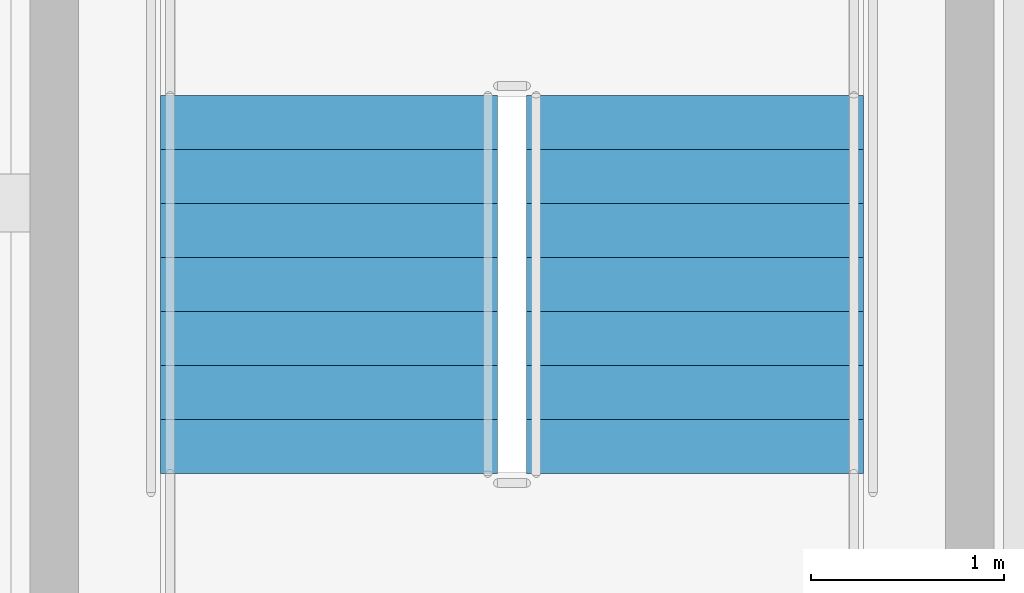
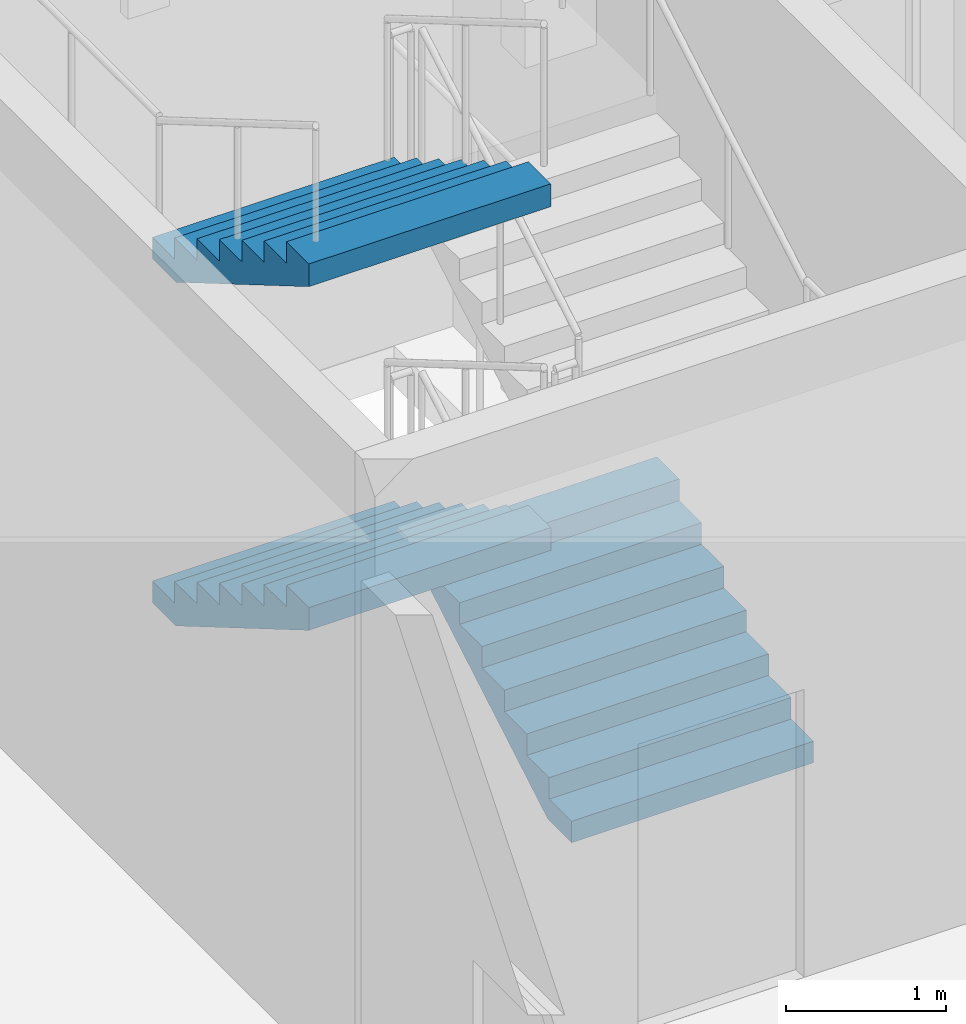
# One storey, part 81 of 125: 3 stair flights, 1 element without a shape of its own.
"""IFC4 building model written with IfcOpenShell, lengths in metres."""

from ifc_helpers import new_model, si_unit, direction, frame, origin, place, context, subcontext, project, spatial, polyline, outline, extrude, material, type_object, element, aggregate, save


model = new_model("IFC4")

# Units and contexts
model_context = context("Model", 3, precision=1e-05, world=origin(), true_north=direction((0.0, 1.0)))
body_context = subcontext(model_context, "Body", "Model", "MODEL_VIEW")
ifc_project = project(units=[si_unit("LENGTHUNIT", "METRE"), si_unit("AREAUNIT", "SQUARE_METRE"), si_unit("VOLUMEUNIT", "CUBIC_METRE"), si_unit("PLANEANGLEUNIT", "RADIAN"), si_unit("MASSUNIT", "GRAM", prefix="KILO")], contexts=[model_context])

# Site, building, storey
site_placement = place(None, origin())
site = spatial("IfcSite", under=ifc_project, at=site_placement, CompositionType="ELEMENT")
building_placement = place(site_placement, origin())
building = spatial("IfcBuilding", under=site, at=building_placement, Name="Sun Court Science Centre", CompositionType="ELEMENT")
storey_placement = place(building_placement, frame((0.0, 0.0, 6.0)))
storey = spatial("IfcBuildingStorey", under=building, at=storey_placement, Name="L01", CompositionType="ELEMENT", Elevation=6.0)

# Stair, stair flights
ifc_material_1 = material(Name="Concrete C25/30", Category="concrete")
stair_type = type_object("IfcStairType", Name="Stair 1500 enclosed half-turn", PredefinedType="HALF_TURN_STAIR", material=ifc_material_1)
stair_placement = place(storey_placement, origin())
stair = element("IfcStair", 1, at=stair_placement, inside=storey, type_object=stair_type, Name="L01 Stair SL4", PredefinedType="HALF_TURN_STAIR")
ifc_material_2 = material(Name="Concrete C25/30", Category="concrete")
stair_flight_type = type_object("IfcStairFlightType", Name="Stair flight 1500 with waist", PredefinedType="STRAIGHT", material=ifc_material_2)
stair_flight_1_placement = place(storey_placement, frame((85.448974609375, 75.498046875, 0.0), z_axis=(0.0, 0.0, 1.0), x_axis=(0.0, 1.0, 0.0)))
stair_flight_1 = element("IfcStairFlight", 2, at=stair_flight_1_placement, type_object=stair_flight_type, Name="SL4 flight 1", NumberOfRisers=8, NumberOfTreads=7, PredefinedType="STRAIGHT", RiserHeight=0.1640625, TreadLength=0.28, context=body_context, shape_type="SweptSolid", body=[
    extrude(outline(polyline([(0.0, 0.0), (0.0, 0.00244140625), (0.0, 0.0048828125), (0.0, 0.00732421875), (0.0, 0.009765625), (0.0, 0.01220703125), (0.0, 0.0146484375), (0.0, 0.01708984375), (0.0, 0.01953125), (0.0, 0.02197265625), (0.0, 0.0244140625), (0.0, 0.02685546875), (0.0, 0.029296875), (0.0, 0.03173828125), (0.0, 0.0341796875), (0.0, 0.03662109375), (0.0, 0.0390625), (0.0, 0.04150390625), (0.0, 0.0439453125), (0.0, 0.04638671875), (0.0, 0.048828125), (0.0, 0.05126953125), (0.0, 0.0537109375), (0.0, 0.05615234375), (0.0, 0.05859375), (0.0, 0.06103515625), (0.0, 0.0634765625), (0.0, 0.06591796875), (0.0, 0.068359375), (0.0, 0.07080078125), (0.0, 0.0732421875), (0.0, 0.07568359375), (0.0, 0.078125), (0.0, 0.08056640625), (0.0, 0.0830078125), (0.0, 0.08544921875), (0.0, 0.087890625), (0.0, 0.09033203125), (0.0, 0.0927734375), (0.0, 0.09521484375), (0.0, 0.09765625), (0.0, 0.10009765625), (0.0, 0.1025390625), (0.0, 0.10498046875), (0.0, 0.107421875), (0.0, 0.10986328125), (0.0, 0.1123046875), (0.0, 0.11474609375), (0.0, 0.1171875), (0.0, 0.11962890625), (0.0, 0.1220703125), (0.0, 0.12451171875), (0.0, 0.126953125), (0.0, 0.12939453125), (0.0, 0.1318359375), (0.0, 0.13427734375), (0.0, 0.13671875), (0.0, 0.13916015625), (0.0, 0.1416015625), (0.0, 0.14404296875), (0.0, 0.146484375), (0.0, 0.14892578125), (0.0, 0.1513671875), (0.0, 0.15380859375), (0.0, 0.15625), (0.0, 0.15869140625), (0.0, 0.1611328125), (0.0, 0.1640625), (0.280029296875, 0.1640625), (0.280029296875, 0.328125), (0.56005859375, 0.328125), (0.56005859375, 0.4921875), (0.840087890625, 0.4921875), (0.840087890625, 0.65625), (1.1201171875, 0.65625), (1.1201171875, 0.8203125), (1.39990234375, 0.8203125), (1.39990234375, 0.984375), (1.679931640625, 0.984375), (1.679931640625, 1.1484375), (1.9599609375, 1.1484375), (1.9599609375, 1.15087890625), (1.9599609375, 1.1533203125), (1.9599609375, 1.15576171875), (1.9599609375, 1.158203125), (1.9599609375, 1.16064453125), (1.9599609375, 1.1630859375), (1.9599609375, 1.16552734375), (1.9599609375, 1.16796875), (1.9599609375, 1.17041015625), (1.9599609375, 1.1728515625), (1.9599609375, 1.17529296875), (1.9599609375, 1.177734375), (1.9599609375, 1.18017578125), (1.9599609375, 1.1826171875), (1.9599609375, 1.18505859375), (1.9599609375, 1.1875), (1.9599609375, 1.18994140625), (1.9599609375, 1.1923828125), (1.9599609375, 1.19482421875), (1.9599609375, 1.197265625), (1.9599609375, 1.19970703125), (1.9599609375, 1.2021484375), (1.9599609375, 1.20458984375), (1.9599609375, 1.20703125), (1.9599609375, 1.20947265625), (1.9599609375, 1.2119140625), (1.9599609375, 1.21435546875), (1.9599609375, 1.216796875), (1.9599609375, 1.21923828125), (1.9599609375, 1.2216796875), (1.9599609375, 1.22412109375), (1.9599609375, 1.2265625), (1.9599609375, 1.22900390625), (1.9599609375, 1.2314453125), (1.9599609375, 1.23388671875), (1.9599609375, 1.236328125), (1.9599609375, 1.23876953125), (1.9599609375, 1.2412109375), (1.9599609375, 1.24365234375), (1.9599609375, 1.24609375), (1.9599609375, 1.24853515625), (1.9599609375, 1.2509765625), (1.9599609375, 1.25341796875), (1.9599609375, 1.255859375), (1.9599609375, 1.25830078125), (1.9599609375, 1.2607421875), (1.9599609375, 1.26318359375), (1.9599609375, 1.265625), (1.9599609375, 1.26806640625), (1.9599609375, 1.2705078125), (1.9599609375, 1.27294921875), (1.9599609375, 1.275390625), (1.9599609375, 1.27783203125), (1.9599609375, 1.2802734375), (1.9599609375, 1.28271484375), (1.9599609375, 1.28515625), (1.9599609375, 1.28759765625), (1.9599609375, 1.2900390625), (1.9599609375, 1.29248046875), (1.9599609375, 1.294921875), (1.9599609375, 1.29736328125), (1.9599609375, 1.2998046875), (1.9599609375, 1.30224609375), (1.9599609375, 1.3046875), (1.9599609375, 1.30712890625), (1.9599609375, 1.3095703125), (1.9599609375, 1.3125), (1.9599609375, 1.31005859375), (1.9599609375, 1.3076171875), (1.9599609375, 1.30517578125), (1.9599609375, 1.302734375), (1.9599609375, 1.30029296875), (1.9599609375, 1.2978515625), (1.9599609375, 1.29541015625), (1.9599609375, 1.29296875), (1.9599609375, 1.29052734375), (1.9599609375, 1.2880859375), (1.9599609375, 1.28564453125), (1.9599609375, 1.283203125), (1.9599609375, 1.28076171875), (1.9599609375, 1.2783203125), (1.9599609375, 1.27587890625), (1.9599609375, 1.2734375), (1.9599609375, 1.27099609375), (1.9599609375, 1.2685546875), (1.9599609375, 1.26611328125), (1.9599609375, 1.263671875), (1.9599609375, 1.26123046875), (1.9599609375, 1.2587890625), (1.9599609375, 1.25634765625), (1.9599609375, 1.25390625), (1.9599609375, 1.25146484375), (1.9599609375, 1.2490234375), (1.9599609375, 1.24658203125), (1.9599609375, 1.244140625), (1.9599609375, 1.24169921875), (1.9599609375, 1.2392578125), (1.9599609375, 1.23681640625), (1.9599609375, 1.234375), (1.9599609375, 1.23193359375), (1.9599609375, 1.2294921875), (1.9599609375, 1.22705078125), (1.9599609375, 1.224609375), (1.9599609375, 1.22216796875), (1.9599609375, 1.2197265625), (1.9599609375, 1.21728515625), (1.9599609375, 1.21484375), (1.9599609375, 1.21240234375), (1.9599609375, 1.2099609375), (1.9599609375, 1.20751953125), (1.9599609375, 1.205078125), (1.9599609375, 1.20263671875), (1.9599609375, 1.2001953125), (1.9599609375, 1.19775390625), (1.9599609375, 1.1953125), (1.9599609375, 1.19287109375), (1.9599609375, 1.1904296875), (1.9599609375, 1.18798828125), (1.9599609375, 1.185546875), (1.9599609375, 1.18310546875), (1.9599609375, 1.1806640625), (1.9599609375, 1.17822265625), (1.9599609375, 1.17578125), (1.9599609375, 1.17333984375), (1.9599609375, 1.1708984375), (1.9599609375, 1.16845703125), (1.9599609375, 1.166015625), (1.9599609375, 1.16357421875), (1.9599609375, 1.1611328125), (1.9599609375, 1.15869140625), (1.9599609375, 1.15625), (1.9599609375, 1.15380859375), (1.9599609375, 1.1513671875), (1.9599609375, 1.14892578125), (1.9599609375, 1.146484375), (1.9599609375, 1.14404296875), (1.9599609375, 1.1416015625), (1.9599609375, 1.13916015625), (1.9599609375, 1.13671875), (1.9599609375, 1.13427734375), (1.9599609375, 1.1318359375), (1.9599609375, 1.12939453125), (1.9599609375, 1.126953125), (1.9599609375, 1.12451171875), (1.9599609375, 1.1220703125), (1.9599609375, 1.11962890625), (1.9599609375, 1.1171875), (1.9599609375, 1.11474609375), (1.9599609375, 1.1123046875), (1.9599609375, 1.10986328125), (1.9599609375, 1.107421875), (1.9599609375, 1.10498046875), (1.9599609375, 1.1025390625), (1.9599609375, 1.10009765625), (1.9599609375, 1.09765625), (1.9599609375, 1.09521484375), (1.9599609375, 1.0927734375), (1.9599609375, 1.09033203125), (1.9599609375, 1.087890625), (1.9599609375, 1.08544921875), (1.9599609375, 1.0830078125), (1.9599609375, 1.08056640625), (1.9599609375, 1.078125), (1.9599609375, 1.07568359375), (1.9599609375, 1.0732421875), (1.9599609375, 1.07080078125), (1.9599609375, 1.068359375), (1.9599609375, 1.06591796875), (1.9599609375, 1.0634765625), (1.9599609375, 1.06103515625), (1.9599609375, 1.05859375), (1.9599609375, 1.05615234375), (1.9599609375, 1.0537109375), (1.9599609375, 1.05126953125), (1.9599609375, 1.048828125), (1.9599609375, 1.04638671875), (1.9599609375, 1.0439453125), (1.9599609375, 1.04150390625), (1.9599609375, 1.0390625), (1.9599609375, 1.03662109375), (1.9599609375, 1.0341796875), (1.9599609375, 1.03173828125), (1.9599609375, 1.029296875), (1.9599609375, 1.02685546875), (1.9599609375, 1.0244140625), (1.9599609375, 1.02197265625), (1.9599609375, 1.01953125), (1.9599609375, 1.01708984375), (1.9599609375, 1.0146484375), (1.9599609375, 1.01220703125), (1.9599609375, 1.009765625), (1.9599609375, 1.00732421875), (1.9599609375, 1.0048828125), (1.9599609375, 1.00244140625), (1.9599609375, 1.0), (1.9599609375, 0.99755859375), (1.9599609375, 0.9951171875), (1.9599609375, 0.99267578125), (1.9599609375, 0.990234375), (1.9599609375, 0.98779296875), (1.9599609375, 0.9853515625), (1.9599609375, 0.98291015625), (1.9599609375, 0.98046875), (1.9599609375, 0.97802734375), (1.9599609375, 0.974609375), (0.296630859375, 0.0), (0.0, 0.0)])), frame((0.0, 0.8740234375, 0.0), z_axis=(0.0, -1.0, 0.0), x_axis=(1.0, 0.0, 0.0)), (0.0, 0.0, 1.0), 1.748046875),
])
stair_flight_2_placement = place(storey_placement, frame((83.551025390625, 77.4580078125, 1.3125), z_axis=(0.0, 0.0, 1.0), x_axis=(0.0, -1.0, 0.0)))
stair_flight_2 = element("IfcStairFlight", 3, at=stair_flight_2_placement, type_object=stair_flight_type, Name="SL4 flight 2", NumberOfRisers=8, NumberOfTreads=7, PredefinedType="STRAIGHT", RiserHeight=0.1640625, TreadLength=0.28, context=body_context, shape_type="SweptSolid", body=[
    extrude(outline(polyline([(0.0, 0.0), (0.0, 0.00244140625), (0.0, 0.0048828125), (0.0, 0.00732421875), (0.0, 0.009765625), (0.0, 0.01220703125), (0.0, 0.0146484375), (0.0, 0.01708984375), (0.0, 0.01953125), (0.0, 0.02197265625), (0.0, 0.0244140625), (0.0, 0.02685546875), (0.0, 0.029296875), (0.0, 0.03173828125), (0.0, 0.0341796875), (0.0, 0.03662109375), (0.0, 0.0390625), (0.0, 0.04150390625), (0.0, 0.0439453125), (0.0, 0.04638671875), (0.0, 0.048828125), (0.0, 0.05126953125), (0.0, 0.0537109375), (0.0, 0.05615234375), (0.0, 0.05859375), (0.0, 0.06103515625), (0.0, 0.0634765625), (0.0, 0.06591796875), (0.0, 0.068359375), (0.0, 0.07080078125), (0.0, 0.0732421875), (0.0, 0.07568359375), (0.0, 0.078125), (0.0, 0.08056640625), (0.0, 0.0830078125), (0.0, 0.08544921875), (0.0, 0.087890625), (0.0, 0.09033203125), (0.0, 0.0927734375), (0.0, 0.09521484375), (0.0, 0.09765625), (0.0, 0.10009765625), (0.0, 0.1025390625), (0.0, 0.10498046875), (0.0, 0.107421875), (0.0, 0.10986328125), (0.0, 0.1123046875), (0.0, 0.11474609375), (0.0, 0.1171875), (0.0, 0.11962890625), (0.0, 0.1220703125), (0.0, 0.12451171875), (0.0, 0.126953125), (0.0, 0.12939453125), (0.0, 0.1318359375), (0.0, 0.13427734375), (0.0, 0.13671875), (0.0, 0.13916015625), (0.0, 0.1416015625), (0.0, 0.14404296875), (0.0, 0.146484375), (0.0, 0.14892578125), (0.0, 0.1513671875), (0.0, 0.15380859375), (0.0, 0.15625), (0.0, 0.15869140625), (0.0, 0.1611328125), (0.0, 0.1640625), (0.280029296875, 0.1640625), (0.280029296875, 0.328125), (0.56005859375, 0.328125), (0.56005859375, 0.4921875), (0.840087890625, 0.4921875), (0.840087890625, 0.65625), (1.1201171875, 0.65625), (1.1201171875, 0.8203125), (1.39990234375, 0.8203125), (1.39990234375, 0.984375), (1.679931640625, 0.984375), (1.679931640625, 1.1484375), (1.9599609375, 1.1484375), (1.9599609375, 1.15087890625), (1.9599609375, 1.1533203125), (1.9599609375, 1.15576171875), (1.9599609375, 1.158203125), (1.9599609375, 1.16064453125), (1.9599609375, 1.1630859375), (1.9599609375, 1.16552734375), (1.9599609375, 1.16796875), (1.9599609375, 1.17041015625), (1.9599609375, 1.1728515625), (1.9599609375, 1.17529296875), (1.9599609375, 1.177734375), (1.9599609375, 1.18017578125), (1.9599609375, 1.1826171875), (1.9599609375, 1.18505859375), (1.9599609375, 1.1875), (1.9599609375, 1.18994140625), (1.9599609375, 1.1923828125), (1.9599609375, 1.19482421875), (1.9599609375, 1.197265625), (1.9599609375, 1.19970703125), (1.9599609375, 1.2021484375), (1.9599609375, 1.20458984375), (1.9599609375, 1.20703125), (1.9599609375, 1.20947265625), (1.9599609375, 1.2119140625), (1.9599609375, 1.21435546875), (1.9599609375, 1.216796875), (1.9599609375, 1.21923828125), (1.9599609375, 1.2216796875), (1.9599609375, 1.22412109375), (1.9599609375, 1.2265625), (1.9599609375, 1.22900390625), (1.9599609375, 1.2314453125), (1.9599609375, 1.23388671875), (1.9599609375, 1.236328125), (1.9599609375, 1.23876953125), (1.9599609375, 1.2412109375), (1.9599609375, 1.24365234375), (1.9599609375, 1.24609375), (1.9599609375, 1.24853515625), (1.9599609375, 1.2509765625), (1.9599609375, 1.25341796875), (1.9599609375, 1.255859375), (1.9599609375, 1.25830078125), (1.9599609375, 1.2607421875), (1.9599609375, 1.26318359375), (1.9599609375, 1.265625), (1.9599609375, 1.26806640625), (1.9599609375, 1.2705078125), (1.9599609375, 1.27294921875), (1.9599609375, 1.275390625), (1.9599609375, 1.27783203125), (1.9599609375, 1.2802734375), (1.9599609375, 1.28271484375), (1.9599609375, 1.28515625), (1.9599609375, 1.28759765625), (1.9599609375, 1.2900390625), (1.9599609375, 1.29248046875), (1.9599609375, 1.294921875), (1.9599609375, 1.29736328125), (1.9599609375, 1.2998046875), (1.9599609375, 1.30224609375), (1.9599609375, 1.3046875), (1.9599609375, 1.30712890625), (1.9599609375, 1.3095703125), (1.9599609375, 1.3125), (1.9599609375, 1.31005859375), (1.9599609375, 1.3076171875), (1.9599609375, 1.30517578125), (1.9599609375, 1.302734375), (1.9599609375, 1.30029296875), (1.9599609375, 1.2978515625), (1.9599609375, 1.29541015625), (1.9599609375, 1.29296875), (1.9599609375, 1.29052734375), (1.9599609375, 1.2880859375), (1.9599609375, 1.28564453125), (1.9599609375, 1.283203125), (1.9599609375, 1.28076171875), (1.9599609375, 1.2783203125), (1.9599609375, 1.27587890625), (1.9599609375, 1.2734375), (1.9599609375, 1.27099609375), (1.9599609375, 1.2685546875), (1.9599609375, 1.26611328125), (1.9599609375, 1.263671875), (1.9599609375, 1.26123046875), (1.9599609375, 1.2587890625), (1.9599609375, 1.25634765625), (1.9599609375, 1.25390625), (1.9599609375, 1.25146484375), (1.9599609375, 1.2490234375), (1.9599609375, 1.24658203125), (1.9599609375, 1.244140625), (1.9599609375, 1.24169921875), (1.9599609375, 1.2392578125), (1.9599609375, 1.23681640625), (1.9599609375, 1.234375), (1.9599609375, 1.23193359375), (1.9599609375, 1.2294921875), (1.9599609375, 1.22705078125), (1.9599609375, 1.224609375), (1.9599609375, 1.22216796875), (1.9599609375, 1.2197265625), (1.9599609375, 1.21728515625), (1.9599609375, 1.21484375), (1.9599609375, 1.21240234375), (1.9599609375, 1.2099609375), (1.9599609375, 1.20751953125), (1.9599609375, 1.205078125), (1.9599609375, 1.20263671875), (1.9599609375, 1.2001953125), (1.9599609375, 1.19775390625), (1.9599609375, 1.1953125), (1.9599609375, 1.19287109375), (1.9599609375, 1.1904296875), (1.9599609375, 1.18798828125), (1.9599609375, 1.185546875), (1.9599609375, 1.18310546875), (1.9599609375, 1.1806640625), (1.9599609375, 1.17822265625), (1.9599609375, 1.17578125), (1.9599609375, 1.17333984375), (1.9599609375, 1.1708984375), (1.9599609375, 1.16845703125), (1.9599609375, 1.166015625), (1.9599609375, 1.16357421875), (1.9599609375, 1.1611328125), (1.9599609375, 1.15869140625), (1.9599609375, 1.15625), (1.9599609375, 1.15380859375), (1.9599609375, 1.1513671875), (1.9599609375, 1.14892578125), (1.9599609375, 1.146484375), (1.9599609375, 1.14404296875), (1.9599609375, 1.1416015625), (1.9599609375, 1.13916015625), (1.9599609375, 1.13671875), (1.9599609375, 1.13427734375), (1.9599609375, 1.1318359375), (1.9599609375, 1.12939453125), (1.9599609375, 1.126953125), (1.9599609375, 1.12451171875), (1.9599609375, 1.1220703125), (1.9599609375, 1.11962890625), (1.9599609375, 1.1171875), (1.9599609375, 1.11474609375), (1.9599609375, 1.1123046875), (1.9599609375, 1.10986328125), (1.9599609375, 1.107421875), (1.9599609375, 1.10498046875), (1.9599609375, 1.1025390625), (1.9599609375, 1.10009765625), (1.9599609375, 1.09765625), (1.9599609375, 1.09521484375), (1.9599609375, 1.0927734375), (1.9599609375, 1.09033203125), (1.9599609375, 1.087890625), (1.9599609375, 1.08544921875), (1.9599609375, 1.0830078125), (1.9599609375, 1.08056640625), (1.9599609375, 1.078125), (1.9599609375, 1.07568359375), (1.9599609375, 1.0732421875), (1.9599609375, 1.07080078125), (1.9599609375, 1.068359375), (1.9599609375, 1.06591796875), (1.9599609375, 1.0634765625), (1.9599609375, 1.06103515625), (1.9599609375, 1.05859375), (1.9599609375, 1.05615234375), (1.9599609375, 1.0537109375), (1.9599609375, 1.05126953125), (1.9599609375, 1.048828125), (1.9599609375, 1.04638671875), (1.9599609375, 1.0439453125), (1.9599609375, 1.04150390625), (1.9599609375, 1.0390625), (1.9599609375, 1.03662109375), (1.9599609375, 1.0341796875), (1.9599609375, 1.03173828125), (1.9599609375, 1.029296875), (1.9599609375, 1.02685546875), (1.9599609375, 1.0244140625), (1.9599609375, 1.02197265625), (1.9599609375, 1.01953125), (1.9599609375, 1.01708984375), (1.9599609375, 1.0146484375), (1.9599609375, 1.01220703125), (1.9599609375, 1.009765625), (1.9599609375, 1.00732421875), (1.9599609375, 1.0048828125), (1.9599609375, 1.00244140625), (1.9599609375, 1.0), (1.9599609375, 0.99755859375), (1.9599609375, 0.9951171875), (1.9599609375, 0.99267578125), (1.9599609375, 0.990234375), (1.9599609375, 0.98779296875), (1.9599609375, 0.9853515625), (1.9599609375, 0.98291015625), (1.9599609375, 0.98046875), (1.9599609375, 0.97802734375), (1.9599609375, 0.974609375), (0.296630859375, 0.0), (0.0, 0.0)])), frame((0.0, 0.8740234375, 0.0), z_axis=(0.0, -1.0, 0.0), x_axis=(1.0, 0.0, 0.0)), (0.0, 0.0, 1.0), 1.748046875),
])
stair_flight_3_placement = place(storey_placement, frame((83.551025390625, 77.4580078125, 3.9375), z_axis=(0.0, 0.0, 1.0), x_axis=(0.0, -1.0, 0.0)))
stair_flight_3 = element("IfcStairFlight", 4, at=stair_flight_3_placement, type_object=stair_flight_type, Name="SL4 flight 4", NumberOfRisers=8, NumberOfTreads=7, PredefinedType="STRAIGHT", RiserHeight=0.1640625, TreadLength=0.28, context=body_context, shape_type="SweptSolid", body=[
    extrude(outline(polyline([(0.0, 0.0), (0.0, 0.00244140625), (0.0, 0.0048828125), (0.0, 0.00732421875), (0.0, 0.009765625), (0.0, 0.01220703125), (0.0, 0.0146484375), (0.0, 0.01708984375), (0.0, 0.01953125), (0.0, 0.02197265625), (0.0, 0.0244140625), (0.0, 0.02685546875), (0.0, 0.029296875), (0.0, 0.03173828125), (0.0, 0.0341796875), (0.0, 0.03662109375), (0.0, 0.0390625), (0.0, 0.04150390625), (0.0, 0.0439453125), (0.0, 0.04638671875), (0.0, 0.048828125), (0.0, 0.05126953125), (0.0, 0.0537109375), (0.0, 0.05615234375), (0.0, 0.05859375), (0.0, 0.06103515625), (0.0, 0.0634765625), (0.0, 0.06591796875), (0.0, 0.068359375), (0.0, 0.07080078125), (0.0, 0.0732421875), (0.0, 0.07568359375), (0.0, 0.078125), (0.0, 0.08056640625), (0.0, 0.0830078125), (0.0, 0.08544921875), (0.0, 0.087890625), (0.0, 0.09033203125), (0.0, 0.0927734375), (0.0, 0.09521484375), (0.0, 0.09765625), (0.0, 0.10009765625), (0.0, 0.1025390625), (0.0, 0.10498046875), (0.0, 0.107421875), (0.0, 0.10986328125), (0.0, 0.1123046875), (0.0, 0.11474609375), (0.0, 0.1171875), (0.0, 0.11962890625), (0.0, 0.1220703125), (0.0, 0.12451171875), (0.0, 0.126953125), (0.0, 0.12939453125), (0.0, 0.1318359375), (0.0, 0.13427734375), (0.0, 0.13671875), (0.0, 0.13916015625), (0.0, 0.1416015625), (0.0, 0.14404296875), (0.0, 0.146484375), (0.0, 0.14892578125), (0.0, 0.1513671875), (0.0, 0.15380859375), (0.0, 0.15625), (0.0, 0.15869140625), (0.0, 0.1611328125), (0.0, 0.1640625), (0.280029296875, 0.1640625), (0.280029296875, 0.328125), (0.56005859375, 0.328125), (0.56005859375, 0.4921875), (0.840087890625, 0.4921875), (0.840087890625, 0.65625), (1.1201171875, 0.65625), (1.1201171875, 0.8203125), (1.39990234375, 0.8203125), (1.39990234375, 0.984375), (1.679931640625, 0.984375), (1.679931640625, 1.1484375), (1.9599609375, 1.1484375), (1.9599609375, 1.15087890625), (1.9599609375, 1.1533203125), (1.9599609375, 1.15576171875), (1.9599609375, 1.158203125), (1.9599609375, 1.16064453125), (1.9599609375, 1.1630859375), (1.9599609375, 1.16552734375), (1.9599609375, 1.16796875), (1.9599609375, 1.17041015625), (1.9599609375, 1.1728515625), (1.9599609375, 1.17529296875), (1.9599609375, 1.177734375), (1.9599609375, 1.18017578125), (1.9599609375, 1.1826171875), (1.9599609375, 1.18505859375), (1.9599609375, 1.1875), (1.9599609375, 1.18994140625), (1.9599609375, 1.1923828125), (1.9599609375, 1.19482421875), (1.9599609375, 1.197265625), (1.9599609375, 1.19970703125), (1.9599609375, 1.2021484375), (1.9599609375, 1.20458984375), (1.9599609375, 1.20703125), (1.9599609375, 1.20947265625), (1.9599609375, 1.2119140625), (1.9599609375, 1.21435546875), (1.9599609375, 1.216796875), (1.9599609375, 1.21923828125), (1.9599609375, 1.2216796875), (1.9599609375, 1.22412109375), (1.9599609375, 1.2265625), (1.9599609375, 1.22900390625), (1.9599609375, 1.2314453125), (1.9599609375, 1.23388671875), (1.9599609375, 1.236328125), (1.9599609375, 1.23876953125), (1.9599609375, 1.2412109375), (1.9599609375, 1.24365234375), (1.9599609375, 1.24609375), (1.9599609375, 1.24853515625), (1.9599609375, 1.2509765625), (1.9599609375, 1.25341796875), (1.9599609375, 1.255859375), (1.9599609375, 1.25830078125), (1.9599609375, 1.2607421875), (1.9599609375, 1.26318359375), (1.9599609375, 1.265625), (1.9599609375, 1.26806640625), (1.9599609375, 1.2705078125), (1.9599609375, 1.27294921875), (1.9599609375, 1.275390625), (1.9599609375, 1.27783203125), (1.9599609375, 1.2802734375), (1.9599609375, 1.28271484375), (1.9599609375, 1.28515625), (1.9599609375, 1.28759765625), (1.9599609375, 1.2900390625), (1.9599609375, 1.29248046875), (1.9599609375, 1.294921875), (1.9599609375, 1.29736328125), (1.9599609375, 1.2998046875), (1.9599609375, 1.30224609375), (1.9599609375, 1.3046875), (1.9599609375, 1.30712890625), (1.9599609375, 1.3095703125), (1.9599609375, 1.3125), (1.9599609375, 1.31005859375), (1.9599609375, 1.3076171875), (1.9599609375, 1.30517578125), (1.9599609375, 1.302734375), (1.9599609375, 1.30029296875), (1.9599609375, 1.2978515625), (1.9599609375, 1.29541015625), (1.9599609375, 1.29296875), (1.9599609375, 1.29052734375), (1.9599609375, 1.2880859375), (1.9599609375, 1.28564453125), (1.9599609375, 1.283203125), (1.9599609375, 1.28076171875), (1.9599609375, 1.2783203125), (1.9599609375, 1.27587890625), (1.9599609375, 1.2734375), (1.9599609375, 1.27099609375), (1.9599609375, 1.2685546875), (1.9599609375, 1.26611328125), (1.9599609375, 1.263671875), (1.9599609375, 1.26123046875), (1.9599609375, 1.2587890625), (1.9599609375, 1.25634765625), (1.9599609375, 1.25390625), (1.9599609375, 1.25146484375), (1.9599609375, 1.2490234375), (1.9599609375, 1.24658203125), (1.9599609375, 1.244140625), (1.9599609375, 1.24169921875), (1.9599609375, 1.2392578125), (1.9599609375, 1.23681640625), (1.9599609375, 1.234375), (1.9599609375, 1.23193359375), (1.9599609375, 1.2294921875), (1.9599609375, 1.22705078125), (1.9599609375, 1.224609375), (1.9599609375, 1.22216796875), (1.9599609375, 1.2197265625), (1.9599609375, 1.21728515625), (1.9599609375, 1.21484375), (1.9599609375, 1.21240234375), (1.9599609375, 1.2099609375), (1.9599609375, 1.20751953125), (1.9599609375, 1.205078125), (1.9599609375, 1.20263671875), (1.9599609375, 1.2001953125), (1.9599609375, 1.19775390625), (1.9599609375, 1.1953125), (1.9599609375, 1.19287109375), (1.9599609375, 1.1904296875), (1.9599609375, 1.18798828125), (1.9599609375, 1.185546875), (1.9599609375, 1.18310546875), (1.9599609375, 1.1806640625), (1.9599609375, 1.17822265625), (1.9599609375, 1.17578125), (1.9599609375, 1.17333984375), (1.9599609375, 1.1708984375), (1.9599609375, 1.16845703125), (1.9599609375, 1.166015625), (1.9599609375, 1.16357421875), (1.9599609375, 1.1611328125), (1.9599609375, 1.15869140625), (1.9599609375, 1.15625), (1.9599609375, 1.15380859375), (1.9599609375, 1.1513671875), (1.9599609375, 1.14892578125), (1.9599609375, 1.146484375), (1.9599609375, 1.14404296875), (1.9599609375, 1.1416015625), (1.9599609375, 1.13916015625), (1.9599609375, 1.13671875), (1.9599609375, 1.13427734375), (1.9599609375, 1.1318359375), (1.9599609375, 1.12939453125), (1.9599609375, 1.126953125), (1.9599609375, 1.12451171875), (1.9599609375, 1.1220703125), (1.9599609375, 1.11962890625), (1.9599609375, 1.1171875), (1.9599609375, 1.11474609375), (1.9599609375, 1.1123046875), (1.9599609375, 1.10986328125), (1.9599609375, 1.107421875), (1.9599609375, 1.10498046875), (1.9599609375, 1.1025390625), (1.9599609375, 1.10009765625), (1.9599609375, 1.09765625), (1.9599609375, 1.09521484375), (1.9599609375, 1.0927734375), (1.9599609375, 1.09033203125), (1.9599609375, 1.087890625), (1.9599609375, 1.08544921875), (1.9599609375, 1.0830078125), (1.9599609375, 1.08056640625), (1.9599609375, 1.078125), (1.9599609375, 1.07568359375), (1.9599609375, 1.0732421875), (1.9599609375, 1.07080078125), (1.9599609375, 1.068359375), (1.9599609375, 1.06591796875), (1.9599609375, 1.0634765625), (1.9599609375, 1.06103515625), (1.9599609375, 1.05859375), (1.9599609375, 1.05615234375), (1.9599609375, 1.0537109375), (1.9599609375, 1.05126953125), (1.9599609375, 1.048828125), (1.9599609375, 1.04638671875), (1.9599609375, 1.0439453125), (1.9599609375, 1.04150390625), (1.9599609375, 1.0390625), (1.9599609375, 1.03662109375), (1.9599609375, 1.0341796875), (1.9599609375, 1.03173828125), (1.9599609375, 1.029296875), (1.9599609375, 1.02685546875), (1.9599609375, 1.0244140625), (1.9599609375, 1.02197265625), (1.9599609375, 1.01953125), (1.9599609375, 1.01708984375), (1.9599609375, 1.0146484375), (1.9599609375, 1.01220703125), (1.9599609375, 1.009765625), (1.9599609375, 1.00732421875), (1.9599609375, 1.0048828125), (1.9599609375, 1.00244140625), (1.9599609375, 1.0), (1.9599609375, 0.99755859375), (1.9599609375, 0.9951171875), (1.9599609375, 0.99267578125), (1.9599609375, 0.990234375), (1.9599609375, 0.98779296875), (1.9599609375, 0.9853515625), (1.9599609375, 0.98291015625), (1.9599609375, 0.98046875), (1.9599609375, 0.97802734375), (1.9599609375, 0.974609375), (0.296630859375, 0.0), (0.0, 0.0)])), frame((0.0, 0.8740234375, 0.0), z_axis=(0.0, -1.0, 0.0), x_axis=(1.0, 0.0, 0.0)), (0.0, 0.0, 1.0), 1.748046875),
])
aggregate(stair, [stair_flight_1, stair_flight_2, stair_flight_3])

save(model, "model.ifc")
